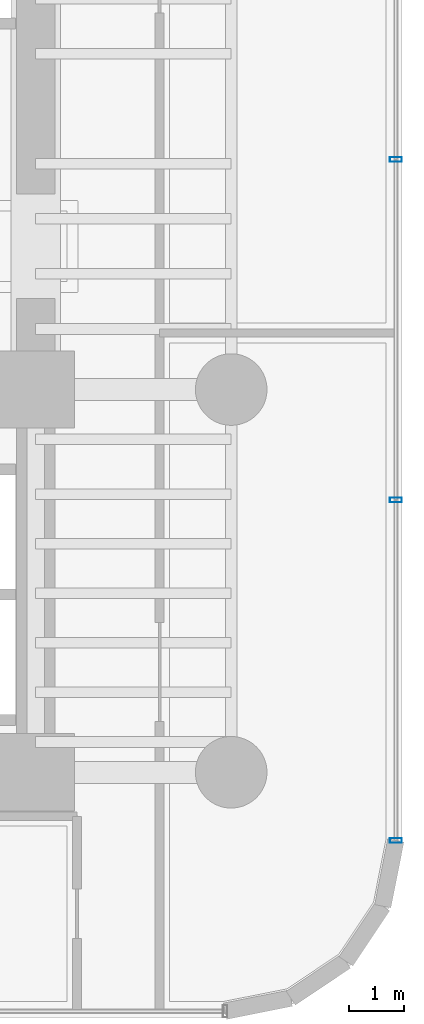
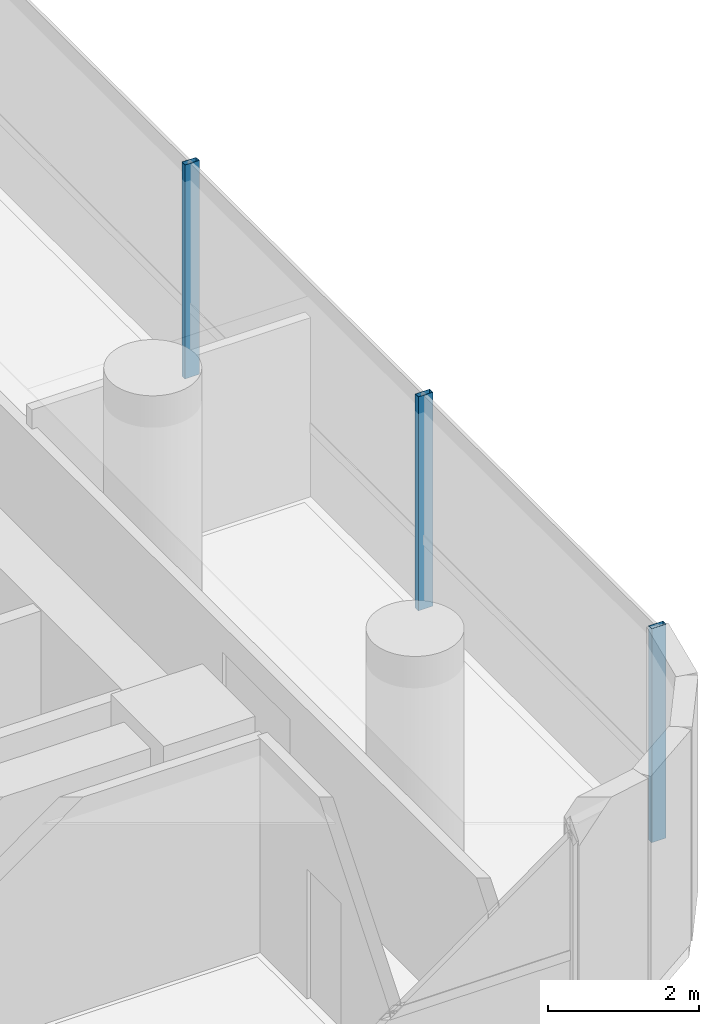
# One storey, part 26 of 40: 3 members, 1 element without a shape of its own.
"""IFC4 building model written with IfcOpenShell, lengths in metres."""

from ifc_helpers import new_model, si_unit, direction, frame, origin, origin_2d, place, context, subcontext, project, spatial, hollow_rectangle, extrude, source, transform, mapped, material, material_profile, profile_set, type_object, element, aggregate, save


model = new_model("IFC4")

# Units and contexts
model_context = context("Model", 3, precision=1e-05, world=origin(), true_north=direction((0.0, 1.0)))
body_context = subcontext(model_context, "Body", "Model", "MODEL_VIEW")
ifc_project = project(units=[si_unit("LENGTHUNIT", "METRE"), si_unit("AREAUNIT", "SQUARE_METRE"), si_unit("VOLUMEUNIT", "CUBIC_METRE"), si_unit("PLANEANGLEUNIT", "RADIAN"), si_unit("MASSUNIT", "GRAM", prefix="KILO")], contexts=[model_context])

# Site, building, storey
site_placement = place(None, origin())
site = spatial("IfcSite", under=ifc_project, at=site_placement, CompositionType="ELEMENT")
building_placement = place(site_placement, origin())
building = spatial("IfcBuilding", under=site, at=building_placement, Name="Valdorenza Pilgrim Sanctuary Tower", CompositionType="ELEMENT")
storey_placement = place(building_placement, frame((0.0, 0.0, 51.89990234375)))
storey = spatial("IfcBuildingStorey", under=building, at=storey_placement, Name="L12", CompositionType="ELEMENT", Elevation=51.89990234375)

# Curtain wall, members
ifc_material_1 = material(Name="Curtain-wall IGU glazing", Category="glass")
curtain_wall_type = type_object("IfcCurtainWallType", Name="CW-SYS-03", PredefinedType="NOTDEFINED", material=ifc_material_1)
curtain_wall_placement = place(storey_placement, origin())
curtain_wall = element("IfcCurtainWall", 1, at=curtain_wall_placement, inside=storey, type_object=curtain_wall_type, Name="L12 Curtain Wall CW-L12-1-21", PredefinedType="NOTDEFINED")
ifc_material_2 = material(Name="Anodised aluminium AW-6060", Category="aluminium")
ifc_material_profile = material_profile(ifc_material_2, hollow_rectangle(XDim=0.0849609375, YDim=0.219970703125, WallThickness=0.0048828125, at=origin_2d()), Name="ALU-M 220x85x5")
ifc_profile_set = profile_set([ifc_material_profile], Name="Anodised aluminium AW-6060")
member_type = type_object("IfcMemberType", Name="CW-MUL-03", PredefinedType="MULLION", material=ifc_profile_set)
shared_shape = source(origin(), body_context, "Body", "SweptSolid", [
    extrude(hollow_rectangle(XDim=0.0849609375, YDim=0.219970703125, WallThickness=0.0048828125, at=origin_2d()), origin(), (0.0, 0.0, 1.0), 3.460205078125),
])
member_1_placement = place(storey_placement, frame((31.389892578125, 1.577880859375, 0.0), z_axis=(0.0, 0.0, 1.0), x_axis=(0.0, -1.0, 0.0)))
member_1 = element("IfcMember", 2, at=member_1_placement, type_object=member_type, Name="CW-L12-1-21 Mullion 3", PredefinedType="MULLION", context=body_context, shape_type="MappedRepresentation", body=[
    mapped(shared_shape, transform((0.0, 0.0, 0.0), x_axis=(1.0, 0.0, 0.0), y_axis=(0.0, 1.0, 0.0), z_axis=(0.0, 0.0, 1.0), scale=1.0)),
])
member_2_placement = place(storey_placement, frame((31.389892578125, -4.605712890625, 0.0), z_axis=(0.0, 0.0, 1.0), x_axis=(0.0, -1.0, 0.0)))
member_2 = element("IfcMember", 3, at=member_2_placement, type_object=member_type, Name="CW-L12-1-21 Mullion 4", PredefinedType="MULLION", context=body_context, shape_type="MappedRepresentation", body=[
    mapped(shared_shape, transform((0.0, 0.0, 0.0), x_axis=(1.0, 0.0, 0.0), y_axis=(0.0, 1.0, 0.0), z_axis=(0.0, 0.0, 1.0), scale=1.0)),
])
member_3_placement = place(storey_placement, frame((31.389892578125, -10.789306640625, 0.0), z_axis=(0.0, 0.0, 1.0), x_axis=(0.0, -1.0, 0.0)))
member_3 = element("IfcMember", 4, at=member_3_placement, type_object=member_type, Name="CW-L12-1-21 Mullion 5", PredefinedType="MULLION", context=body_context, shape_type="MappedRepresentation", body=[
    mapped(shared_shape, transform((0.0, 0.0, 0.0), x_axis=(1.0, 0.0, 0.0), y_axis=(0.0, 1.0, 0.0), z_axis=(0.0, 0.0, 1.0), scale=1.0)),
])
aggregate(curtain_wall, [member_1, member_2, member_3])

save(model, "model.ifc")
